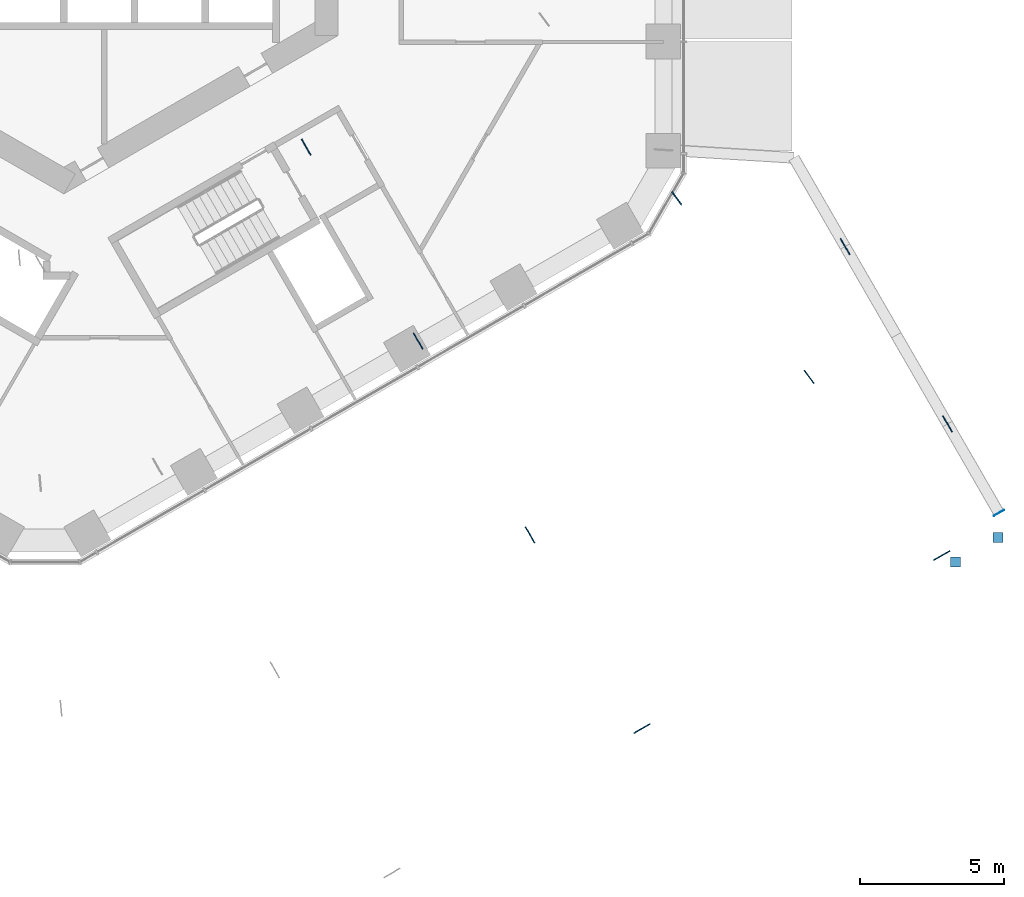
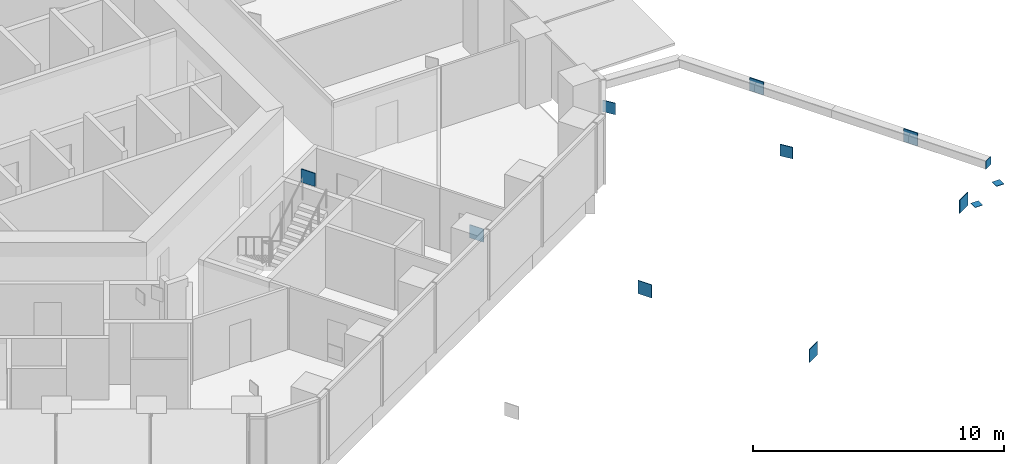
# One storey, part 17 of 22: 12 discrete accessories.
"""IFC4 building model written with IfcOpenShell, lengths in metres."""

from ifc_helpers import new_model, si_unit, direction, frame, origin, origin_2d, place, context, subcontext, project, spatial, rectangle, extrude, material, layer, layer_set, type_object, element, save


model = new_model("IFC4")

# Units and contexts
model_context = context("Model", 3, precision=1e-05, world=origin(), true_north=direction((0.0, 1.0)))
body_context = subcontext(model_context, "Body", "Model", "MODEL_VIEW")
ifc_project = project(units=[si_unit("LENGTHUNIT", "METRE"), si_unit("AREAUNIT", "SQUARE_METRE"), si_unit("VOLUMEUNIT", "CUBIC_METRE"), si_unit("PLANEANGLEUNIT", "RADIAN"), si_unit("MASSUNIT", "GRAM", prefix="KILO")], contexts=[model_context])

# Site, building, storey
site_placement = place(None, origin())
site = spatial("IfcSite", under=ifc_project, at=site_placement, CompositionType="ELEMENT")
building_placement = place(site_placement, origin())
building = spatial("IfcBuilding", under=site, at=building_placement, Name="Ayvan Gate Tower", CompositionType="ELEMENT")
storey_placement = place(building_placement, frame((0.0, 0.0, 62.89990234375)))
storey = spatial("IfcBuildingStorey", under=building, at=storey_placement, Name="L16", CompositionType="ELEMENT", Elevation=62.89990234375)

# Discrete accessories
ifc_material = material(Name="Steel S460ML", Category="steel")
ifc_layer_1 = layer(ifc_material, 0.034912109375)
ifc_layer_set_1 = layer_set([ifc_layer_1], Name="Steel S460ML")
discrete_accessory_type_1 = type_object("IfcDiscreteAccessoryType", Name="Gusset plate 35 mm", PredefinedType="BRACKET", material=ifc_layer_set_1)
for number, where, z_axis, x_axis, name in (
    (1, (20.037841796875, -29.506591796875, 1.97509765625), (0.0, 0.0, 1.0), (0.866025403784, 0.5, 0.0), "Gusset plate EXO-B1-D2B"),
    (2, (30.43017578125, -23.506591796875, 1.97509765625), (0.0, 0.0, 1.0), (0.866025403784, 0.5, 0.0), "Gusset plate EXO-B1-D3B"),
):
    element("IfcDiscreteAccessory", number, at=place(storey_placement, frame(where, z_axis=z_axis, x_axis=x_axis)), inside=storey, type_object=discrete_accessory_type_1, Name=name, PredefinedType="BRACKET", context=body_context, shape_type="SweptSolid", body=[
        extrude(rectangle(XDim=0.650146484375, YDim=0.034912109375, at=origin_2d()), origin(), (0.0, 0.0, 1.0), 0.650146484375),
    ])
for number, where, z_axis, x_axis, name in (
    (3, (8.401611328125, -9.35205078125, 2.330078125), (0.0, 0.0, 1.0), (-0.5, 0.866025403784, 0.0), "Gusset plate SBT1-3-D-2"),
    (4, (12.280517578125, -16.0703125, 2.330078125), (0.0, 0.0, 1.0), (-0.5, 0.866025403784, 0.0), "Gusset plate SBT1-3-D-3"),
    (5, (16.1591796875, -22.78857421875, 2.330078125), (0.0, 0.0, 1.0), (-0.5, 0.866025403784, 0.0), "Gusset plate SBT1-3-D-5"),
):
    element("IfcDiscreteAccessory", number, at=place(storey_placement, frame(where, z_axis=z_axis, x_axis=x_axis)), inside=storey, type_object=discrete_accessory_type_1, Name=name, PredefinedType="BRACKET", context=body_context, shape_type="SweptSolid", body=[
        extrude(rectangle(XDim=0.639892578125, YDim=0.034912109375, at=origin_2d()), origin(), (0.0, 0.0, 1.0), 0.639892578125),
    ])
for number, where, z_axis, x_axis, name in (
    (6, (21.243896484375, -11.120849609375, 2.3701171875), (0.0, 0.0, 1.0), (-0.59571752854, 0.803194015285, 0.0), "Gusset plate SBT1-4-D-5"),
    (7, (25.8369140625, -17.313720703125, 2.3701171875), (0.0, 0.0, 1.0), (-0.59571752854, 0.803194015285, 0.0), "Gusset plate SBT1-4-D-7"),
):
    element("IfcDiscreteAccessory", number, at=place(storey_placement, frame(where, z_axis=z_axis, x_axis=x_axis)), inside=storey, type_object=discrete_accessory_type_1, Name=name, PredefinedType="BRACKET", context=body_context, shape_type="SweptSolid", body=[
        extrude(rectangle(XDim=0.56005859375, YDim=0.034912109375, at=origin_2d()), origin(), (0.0, 0.0, 1.0), 0.56005859375),
    ])
for number, where, z_axis, x_axis, name in (
    (8, (27.081298828125, -12.796142578125, 2.330078125), (0.0, 0.0, 1.0), (-0.5, 0.866025403784, 0.0), "Gusset plate SBX1-A-D-2"),
    (9, (30.63134765625, -18.94482421875, 2.330078125), (0.0, 0.0, 1.0), (-0.5, 0.866025403784, 0.0), "Gusset plate SBX1-A-D-4"),
):
    element("IfcDiscreteAccessory", number, at=place(storey_placement, frame(where, z_axis=z_axis, x_axis=x_axis)), inside=storey, type_object=discrete_accessory_type_1, Name=name, PredefinedType="BRACKET", context=body_context, shape_type="SweptSolid", body=[
        extrude(rectangle(XDim=0.639892578125, YDim=0.034912109375, at=origin_2d()), origin(), (0.0, 0.0, 1.0), 0.639892578125),
    ])
ifc_layer_2 = layer(ifc_material, 0.02001953125)
ifc_layer_set_2 = layer_set([ifc_layer_2], Name="Steel S460ML")
discrete_accessory_type_2 = type_object("IfcDiscreteAccessoryType", Name="Sky bar end cap plate", PredefinedType="BRACKET", material=ifc_layer_set_2)
discrete_accessory_placement = place(storey_placement, frame((32.411376953125, -22.028076171875, 2.4501953125), z_axis=(0.0, 0.0, 1.0), x_axis=(0.5, -0.866025403784, 0.0)))
element("IfcDiscreteAccessory", 10, at=discrete_accessory_placement, inside=storey, type_object=discrete_accessory_type_2, Name="End cap SBX1-A-BC-5:EC", PredefinedType="BRACKET", context=body_context, shape_type="SweptSolid", body=[
    extrude(rectangle(XDim=0.02001953125, YDim=0.39990234375, at=origin_2d()), origin(), (0.0, 0.0, 1.0), 0.39990234375),
])
for number, where, z_axis, x_axis, name in (
    (11, (32.377197265625, -22.87890625, 2.18017578125), (0.0, 0.0, 1.0), (1.0, 0.0, 0.0), "End cap SBX1-C-P-1:EC0"),
    (12, (30.905029296875, -23.72900390625, 2.18017578125), (0.0, 0.0, 1.0), (1.0, 0.0, 0.0), "End cap SBX1-C-P-2:EC0"),
):
    element("IfcDiscreteAccessory", number, at=place(storey_placement, frame(where, z_axis=z_axis, x_axis=x_axis)), inside=storey, type_object=discrete_accessory_type_2, Name=name, PredefinedType="BRACKET", context=body_context, shape_type="SweptSolid", body=[
        extrude(rectangle(XDim=0.35009765625, YDim=0.35009765625, at=origin_2d()), origin(), (0.0, 0.0, 1.0), 0.02001953125),
    ])

save(model, "model.ifc")
